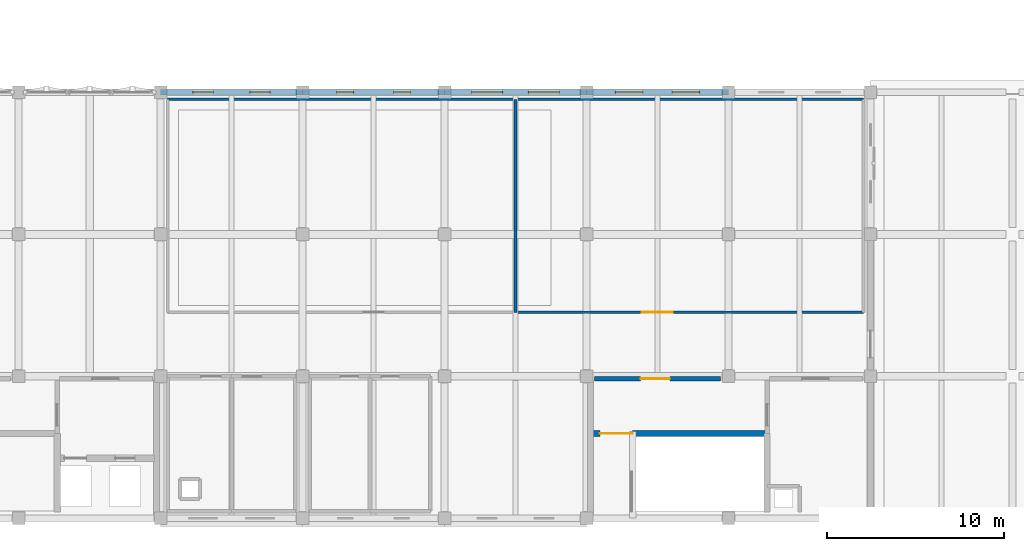
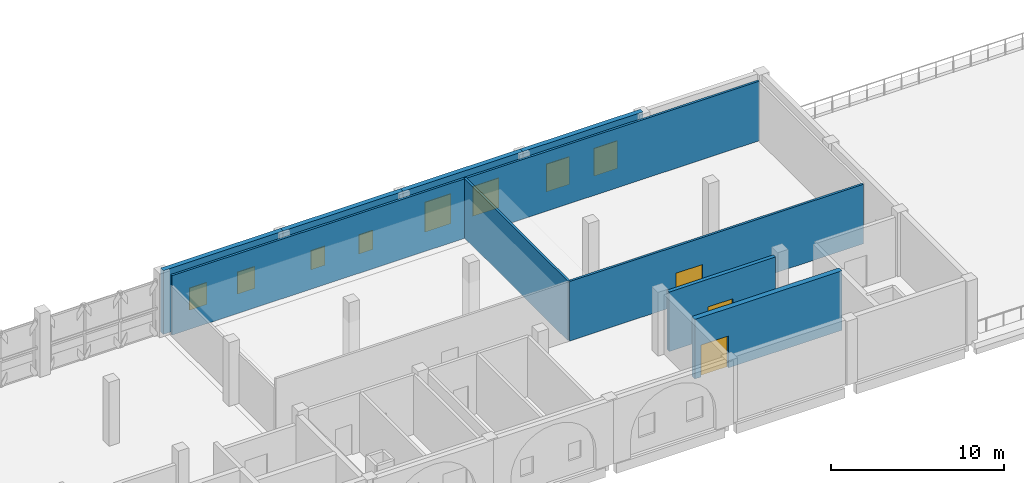
# One storey, part 29 of 45: 10 walls, 8 windows, 3 doors, 11 openings.
"""IFC4 building model written with IfcOpenShell, lengths in metres."""

from ifc_helpers import new_model, si_unit, direction, frame, frame_2d, origin, place, context, subcontext, project, spatial, rectangle, extrude, material, layer, layer_set, type_object, element, fill, save


model = new_model("IFC4")

# Units and contexts
model_context = context("Model", 3, precision=1e-05, world=origin(), true_north=direction((0.0, 1.0)))
body_context = subcontext(model_context, "Body", "Model", "MODEL_VIEW")
ifc_project = project(units=[si_unit("LENGTHUNIT", "METRE"), si_unit("AREAUNIT", "SQUARE_METRE"), si_unit("VOLUMEUNIT", "CUBIC_METRE"), si_unit("PLANEANGLEUNIT", "RADIAN"), si_unit("MASSUNIT", "GRAM", prefix="KILO")], contexts=[model_context])

# Site, building, storey
site_placement = place(None, origin())
site = spatial("IfcSite", under=ifc_project, at=site_placement, CompositionType="ELEMENT")
building_placement = place(site_placement, origin())
building = spatial("IfcBuilding", under=site, at=building_placement, Name="Qorikala Patio Media Centre", CompositionType="ELEMENT")
storey_placement = place(building_placement, frame((0.0, 0.0, 9.89990234375)))
storey = spatial("IfcBuildingStorey", under=building, at=storey_placement, Name="L02", CompositionType="ELEMENT", Elevation=9.89990234375)

# Wall, opening, door
ifc_material_1 = material(Name="Concrete C35/45", Category="concrete")
ifc_layer_1 = layer(ifc_material_1, 0.35009765625)
ifc_layer_set_1 = layer_set([ifc_layer_1], Name="Concrete C35/45")
wall_type_1 = type_object("IfcWallType", Name="WL-CORE-350", PredefinedType="SHEAR", material=ifc_layer_set_1)
wall_1_placement = place(storey_placement, frame((122.35009765625, 7.77490234375, 0.0), z_axis=(0.0, 0.0, 1.0), x_axis=(1.0, 0.0, 0.0)))
wall_1 = element("IfcWall", 1, at=wall_1_placement, inside=storey, type_object=wall_type_1, Name="L02 Interior Wall CW-L02-C7-SN", PredefinedType="SHEAR", context=body_context, shape_type="SweptSolid", body=[
    extrude(rectangle(XDim=9.824951171875, YDim=0.35009765625, at=frame_2d((4.91259765625, 0.0))), origin(), (0.0, 0.0, 1.0), 4.2001953125),
])
opening_1_placement = place(wall_1_placement, frame((0.39990234375, 0.0, 0.0)))
opening_1 = element("IfcOpeningElement", 2, at=opening_1_placement, cuts=wall_1, Name="Opening D208", PredefinedType="OPENING", context=body_context, shape_type="SweptSolid", body=[
    extrude(rectangle(XDim=1.85009765625, YDim=2.25, at=frame_2d((0.925048828125, 1.125))), frame((0.0, 0.18505859375, 0.0), z_axis=(0.0, -1.0, 0.0), x_axis=(1.0, 0.0, 0.0)), (0.0, 0.0, 1.0), 0.3701171875),
])
ifc_material_2 = material(Name="Powder-Coated Acoustic Fire Steel", Category="steel")
door_type_1 = type_object("IfcDoorType", Name="DR-FD60-185X225", OperationType="DOUBLE_DOOR_SINGLE_SWING", PredefinedType="DOOR", material=ifc_material_2)
door_1_placement = place(opening_1_placement, origin())
door_1 = element("IfcDoor", 3, at=door_1_placement, inside=storey, type_object=door_type_1, Name="L02 Stair ST-7 Fire Door", OperationType="DOUBLE_DOOR_SINGLE_SWING", OverallHeight=2.25, OverallWidth=1.85009765625, PredefinedType="DOOR", context=body_context, shape_type="SweptSolid", body=[
    extrude(rectangle(XDim=1.85009765625, YDim=2.25, at=frame_2d((0.925048828125, 1.125))), frame((0.0, 0.02490234375, 0.0), z_axis=(0.0, -1.0, 0.0), x_axis=(1.0, 0.0, 0.0)), (0.0, 0.0, 1.0), 0.050048828125),
])
fill(opening_1, door_1)

# Wall, openings, windows
ifc_material_3 = material(Name="Ivory Lime Stucco and Concrete C35/45", Category="concrete")
ifc_layer_2 = layer(ifc_material_3, 0.320068359375)
ifc_layer_set_2 = layer_set([ifc_layer_2], Name="Ivory Lime Stucco and Concrete C35/45")
wall_type_2 = type_object("IfcWallType", Name="WL-EXT-320", PredefinedType="SOLIDWALL", material=ifc_layer_set_2)
wall_2_placement = place(storey_placement, frame((98.0, 27.0, 0.0), z_axis=(0.0, 0.0, 1.0), x_axis=(1.0, 0.0, 0.0)))
wall_2 = element("IfcWall", 4, at=wall_2_placement, inside=storey, type_object=wall_type_2, Name="L02 Exterior Wall WL-L02-EXT-0009", PredefinedType="SOLIDWALL", context=body_context, shape_type="SweptSolid", body=[
    extrude(rectangle(XDim=8.0, YDim=0.320068359375, at=frame_2d((4.0, 0.0))), origin(), (0.0, 0.0, 1.0), 4.5),
])
opening_2_placement = place(wall_2_placement, frame((1.824951171875, 0.0, 1.0)))
opening_2 = element("IfcOpeningElement", 5, at=opening_2_placement, cuts=wall_2, Name="Opening WE-115", PredefinedType="OPENING", context=body_context, shape_type="SweptSolid", body=[
    extrude(rectangle(XDim=1.14990234375, YDim=1.550048828125, at=frame_2d((0.574951171875, 0.77490234375))), frame((0.0, 0.169921875, 0.0), z_axis=(0.0, -1.0, 0.0), x_axis=(1.0, 0.0, 0.0)), (0.0, 0.0, 1.0), 0.340087890625),
])
opening_3_placement = place(wall_2_placement, frame((5.02490234375, 0.0, 1.0)))
opening_3 = element("IfcOpeningElement", 6, at=opening_3_placement, cuts=wall_2, Name="Opening WE-115", PredefinedType="OPENING", context=body_context, shape_type="SweptSolid", body=[
    extrude(rectangle(XDim=1.14990234375, YDim=1.550048828125, at=frame_2d((0.574951171875, 0.77490234375))), frame((0.0, 0.169921875, 0.0), z_axis=(0.0, -1.0, 0.0), x_axis=(1.0, 0.0, 0.0)), (0.0, 0.0, 1.0), 0.340087890625),
])
ifc_material_4 = material(Name="Bronze Anodised Aluminium and Low-E Glass", Category="aluminium")
window_type_1 = type_object("IfcWindowType", Name="WN-ED-115X155", PartitioningType="SINGLE_PANEL", PredefinedType="WINDOW", material=ifc_material_4)
window_1_placement = place(opening_2_placement, origin())
window_1 = element("IfcWindow", 7, at=window_1_placement, inside=storey, type_object=window_type_1, Name="L02 Editing Wing Casement Window 0129", OverallHeight=1.550048828125, OverallWidth=1.14990234375, PartitioningType="SINGLE_PANEL", PredefinedType="WINDOW", context=body_context, shape_type="SweptSolid", body=[
    extrude(rectangle(XDim=1.14990234375, YDim=1.550048828125, at=frame_2d((0.574951171875, 0.77490234375))), frame((0.0, 0.030029296875, 0.0), z_axis=(0.0, -1.0, 0.0), x_axis=(1.0, 0.0, 0.0)), (0.0, 0.0, 1.0), 0.06005859375),
])
fill(opening_2, window_1)
window_2_placement = place(opening_3_placement, origin())
window_2 = element("IfcWindow", 8, at=window_2_placement, inside=storey, type_object=window_type_1, Name="L02 Editing Wing Casement Window 0130", OverallHeight=1.550048828125, OverallWidth=1.14990234375, PartitioningType="SINGLE_PANEL", PredefinedType="WINDOW", context=body_context, shape_type="SweptSolid", body=[
    extrude(rectangle(XDim=1.14990234375, YDim=1.550048828125, at=frame_2d((0.574951171875, 0.77490234375))), frame((0.0, 0.030029296875, 0.0), z_axis=(0.0, -1.0, 0.0), x_axis=(1.0, 0.0, 0.0)), (0.0, 0.0, 1.0), 0.06005859375),
])
fill(opening_3, window_2)

wall_3_placement = place(storey_placement, frame((106.0, 27.0, 0.0), z_axis=(0.0, 0.0, 1.0), x_axis=(1.0, 0.0, 0.0)))
wall_3 = element("IfcWall", 9, at=wall_3_placement, inside=storey, type_object=wall_type_2, Name="L02 Exterior Wall WL-L02-EXT-0010", PredefinedType="SOLIDWALL", context=body_context, shape_type="SweptSolid", body=[
    extrude(rectangle(XDim=8.0, YDim=0.320068359375, at=frame_2d((4.0, 0.0))), origin(), (0.0, 0.0, 1.0), 4.5),
])
opening_4_placement = place(wall_3_placement, frame((1.925048828125, 0.0, 1.0)))
opening_4 = element("IfcOpeningElement", 10, at=opening_4_placement, cuts=wall_3, Name="Opening WE-095", PredefinedType="OPENING", context=body_context, shape_type="SweptSolid", body=[
    extrude(rectangle(XDim=0.949951171875, YDim=1.35009765625, at=frame_2d((0.47509765625, 0.675048828125))), frame((0.0, 0.169921875, 0.0), z_axis=(0.0, -1.0, 0.0), x_axis=(1.0, 0.0, 0.0)), (0.0, 0.0, 1.0), 0.340087890625),
])
opening_5_placement = place(wall_3_placement, frame((5.125, 0.0, 1.0)))
opening_5 = element("IfcOpeningElement", 11, at=opening_5_placement, cuts=wall_3, Name="Opening WE-095", PredefinedType="OPENING", context=body_context, shape_type="SweptSolid", body=[
    extrude(rectangle(XDim=0.949951171875, YDim=1.35009765625, at=frame_2d((0.47509765625, 0.675048828125))), frame((0.0, 0.169921875, 0.0), z_axis=(0.0, -1.0, 0.0), x_axis=(1.0, 0.0, 0.0)), (0.0, 0.0, 1.0), 0.340087890625),
])
window_type_2 = type_object("IfcWindowType", Name="WN-ED-095X135", PartitioningType="SINGLE_PANEL", PredefinedType="WINDOW", material=ifc_material_4)
window_3_placement = place(opening_4_placement, origin())
window_3 = element("IfcWindow", 12, at=window_3_placement, inside=storey, type_object=window_type_2, Name="L02 Editing Wing Casement Window 0131", OverallHeight=1.35009765625, OverallWidth=0.949951171875, PartitioningType="SINGLE_PANEL", PredefinedType="WINDOW", context=body_context, shape_type="SweptSolid", body=[
    extrude(rectangle(XDim=0.949951171875, YDim=1.35009765625, at=frame_2d((0.47509765625, 0.675048828125))), frame((0.0, 0.030029296875, 0.0), z_axis=(0.0, -1.0, 0.0), x_axis=(1.0, 0.0, 0.0)), (0.0, 0.0, 1.0), 0.06005859375),
])
fill(opening_4, window_3)
window_4_placement = place(opening_5_placement, origin())
window_4 = element("IfcWindow", 13, at=window_4_placement, inside=storey, type_object=window_type_2, Name="L02 Editing Wing Casement Window 0132", OverallHeight=1.35009765625, OverallWidth=0.949951171875, PartitioningType="SINGLE_PANEL", PredefinedType="WINDOW", context=body_context, shape_type="SweptSolid", body=[
    extrude(rectangle(XDim=0.949951171875, YDim=1.35009765625, at=frame_2d((0.47509765625, 0.675048828125))), frame((0.0, 0.030029296875, 0.0), z_axis=(0.0, -1.0, 0.0), x_axis=(1.0, 0.0, 0.0)), (0.0, 0.0, 1.0), 0.06005859375),
])
fill(opening_5, window_4)

wall_4_placement = place(storey_placement, frame((114.0, 27.0, 0.0), z_axis=(0.0, 0.0, 1.0), x_axis=(1.0, 0.0, 0.0)))
wall_4 = element("IfcWall", 14, at=wall_4_placement, inside=storey, type_object=wall_type_2, Name="L02 Exterior Wall WL-L02-EXT-0011", PredefinedType="SOLIDWALL", context=body_context, shape_type="SweptSolid", body=[
    extrude(rectangle(XDim=8.0, YDim=0.320068359375, at=frame_2d((4.0, 0.0))), origin(), (0.0, 0.0, 1.0), 4.5),
])
opening_6_placement = place(wall_4_placement, frame((1.52490234375, 0.0, 1.0)))
opening_6 = element("IfcOpeningElement", 15, at=opening_6_placement, cuts=wall_4, Name="Opening WE-175", PredefinedType="OPENING", context=body_context, shape_type="SweptSolid", body=[
    extrude(rectangle(XDim=1.75, YDim=2.10009765625, at=frame_2d((0.875, 1.050048828125))), frame((0.0, 0.169921875, 0.0), z_axis=(0.0, -1.0, 0.0), x_axis=(1.0, 0.0, 0.0)), (0.0, 0.0, 1.0), 0.340087890625),
])
opening_7_placement = place(wall_4_placement, frame((4.72509765625, 0.0, 1.0)))
opening_7 = element("IfcOpeningElement", 16, at=opening_7_placement, cuts=wall_4, Name="Opening WE-175", PredefinedType="OPENING", context=body_context, shape_type="SweptSolid", body=[
    extrude(rectangle(XDim=1.75, YDim=2.10009765625, at=frame_2d((0.875, 1.050048828125))), frame((0.0, 0.169921875, 0.0), z_axis=(0.0, -1.0, 0.0), x_axis=(1.0, 0.0, 0.0)), (0.0, 0.0, 1.0), 0.340087890625),
])
window_type_3 = type_object("IfcWindowType", Name="WN-ED-175X210", PartitioningType="SINGLE_PANEL", PredefinedType="WINDOW", material=ifc_material_4)
window_5_placement = place(opening_6_placement, origin())
window_5 = element("IfcWindow", 17, at=window_5_placement, inside=storey, type_object=window_type_3, Name="L02 Editing Wing Casement Window 0133", OverallHeight=2.10009765625, OverallWidth=1.75, PartitioningType="SINGLE_PANEL", PredefinedType="WINDOW", context=body_context, shape_type="SweptSolid", body=[
    extrude(rectangle(XDim=1.75, YDim=2.10009765625, at=frame_2d((0.875, 1.050048828125))), frame((0.0, 0.030029296875, 0.0), z_axis=(0.0, -1.0, 0.0), x_axis=(1.0, 0.0, 0.0)), (0.0, 0.0, 1.0), 0.06005859375),
])
fill(opening_6, window_5)
window_6_placement = place(opening_7_placement, origin())
window_6 = element("IfcWindow", 18, at=window_6_placement, inside=storey, type_object=window_type_3, Name="L02 Editing Wing Casement Window 0134", OverallHeight=2.10009765625, OverallWidth=1.75, PartitioningType="SINGLE_PANEL", PredefinedType="WINDOW", context=body_context, shape_type="SweptSolid", body=[
    extrude(rectangle(XDim=1.75, YDim=2.10009765625, at=frame_2d((0.875, 1.050048828125))), frame((0.0, 0.030029296875, 0.0), z_axis=(0.0, -1.0, 0.0), x_axis=(1.0, 0.0, 0.0)), (0.0, 0.0, 1.0), 0.06005859375),
])
fill(opening_7, window_6)

wall_5_placement = place(storey_placement, frame((122.0, 27.0, 0.0), z_axis=(0.0, 0.0, 1.0), x_axis=(1.0, 0.0, 0.0)))
wall_5 = element("IfcWall", 19, at=wall_5_placement, inside=storey, type_object=wall_type_2, Name="L02 Exterior Wall WL-L02-EXT-0012", PredefinedType="SOLIDWALL", context=body_context, shape_type="SweptSolid", body=[
    extrude(rectangle(XDim=8.0, YDim=0.320068359375, at=frame_2d((4.0, 0.0))), origin(), (0.0, 0.0, 1.0), 4.5),
])
opening_8_placement = place(wall_5_placement, frame((1.625, 0.0, 1.0)))
opening_8 = element("IfcOpeningElement", 20, at=opening_8_placement, cuts=wall_5, Name="Opening WE-155", PredefinedType="OPENING", context=body_context, shape_type="SweptSolid", body=[
    extrude(rectangle(XDim=1.550048828125, YDim=1.949951171875, at=frame_2d((0.77490234375, 0.97509765625))), frame((0.0, 0.169921875, 0.0), z_axis=(0.0, -1.0, 0.0), x_axis=(1.0, 0.0, 0.0)), (0.0, 0.0, 1.0), 0.340087890625),
])
opening_9_placement = place(wall_5_placement, frame((4.824951171875, 0.0, 1.0)))
opening_9 = element("IfcOpeningElement", 21, at=opening_9_placement, cuts=wall_5, Name="Opening WE-155", PredefinedType="OPENING", context=body_context, shape_type="SweptSolid", body=[
    extrude(rectangle(XDim=1.550048828125, YDim=1.949951171875, at=frame_2d((0.77490234375, 0.97509765625))), frame((0.0, 0.169921875, 0.0), z_axis=(0.0, -1.0, 0.0), x_axis=(1.0, 0.0, 0.0)), (0.0, 0.0, 1.0), 0.340087890625),
])
window_type_4 = type_object("IfcWindowType", Name="WN-ED-155X195", PartitioningType="SINGLE_PANEL", PredefinedType="WINDOW", material=ifc_material_4)
window_7_placement = place(opening_8_placement, origin())
window_7 = element("IfcWindow", 22, at=window_7_placement, inside=storey, type_object=window_type_4, Name="L02 Editing Wing Casement Window 0135", OverallHeight=1.949951171875, OverallWidth=1.550048828125, PartitioningType="SINGLE_PANEL", PredefinedType="WINDOW", context=body_context, shape_type="SweptSolid", body=[
    extrude(rectangle(XDim=1.550048828125, YDim=1.949951171875, at=frame_2d((0.77490234375, 0.97509765625))), frame((0.0, 0.030029296875, 0.0), z_axis=(0.0, -1.0, 0.0), x_axis=(1.0, 0.0, 0.0)), (0.0, 0.0, 1.0), 0.06005859375),
])
fill(opening_8, window_7)
window_8_placement = place(opening_9_placement, origin())
window_8 = element("IfcWindow", 23, at=window_8_placement, inside=storey, type_object=window_type_4, Name="L02 Editing Wing Casement Window 0136", OverallHeight=1.949951171875, OverallWidth=1.550048828125, PartitioningType="SINGLE_PANEL", PredefinedType="WINDOW", context=body_context, shape_type="SweptSolid", body=[
    extrude(rectangle(XDim=1.550048828125, YDim=1.949951171875, at=frame_2d((0.77490234375, 0.97509765625))), frame((0.0, 0.030029296875, 0.0), z_axis=(0.0, -1.0, 0.0), x_axis=(1.0, 0.0, 0.0)), (0.0, 0.0, 1.0), 0.06005859375),
])
fill(opening_9, window_8)

# Wall, opening, door
ifc_layer_3 = layer(ifc_material_1, 0.25)
ifc_layer_set_3 = layer_set([ifc_layer_3], Name="Concrete C35/45")
wall_type_3 = type_object("IfcWallType", Name="WL-FFL-250", PredefinedType="PARTITIONING", material=ifc_layer_set_3)
wall_6_placement = place(storey_placement, frame((122.449951171875, 10.85009765625, 0.0), z_axis=(0.0, 0.0, 1.0), x_axis=(1.0, 0.0, 0.0)))
wall_6 = element("IfcWall", 24, at=wall_6_placement, inside=storey, type_object=wall_type_3, Name="L02 Interior Wall CW-L02-C7-CN1", PredefinedType="PARTITIONING", context=body_context, shape_type="SweptSolid", body=[
    extrude(rectangle(XDim=7.10009765625, YDim=0.25, at=frame_2d((3.550048828125, 0.0))), origin(), (0.0, 0.0, 1.0), 4.2001953125),
])
opening_10_placement = place(wall_6_placement, frame((2.60009765625, 0.0, 0.0)))
opening_10 = element("IfcOpeningElement", 25, at=opening_10_placement, cuts=wall_6, Name="Opening D210", PredefinedType="OPENING", context=body_context, shape_type="SweptSolid", body=[
    extrude(rectangle(XDim=1.64990234375, YDim=2.25, at=frame_2d((0.824951171875, 1.125))), frame((0.0, 0.135009765625, 0.0), z_axis=(0.0, -1.0, 0.0), x_axis=(1.0, 0.0, 0.0)), (0.0, 0.0, 1.0), 0.27001953125),
])
door_type_2 = type_object("IfcDoorType", Name="DR-FD60-165X225", OperationType="DOUBLE_DOOR_SINGLE_SWING", PredefinedType="DOOR", material=ifc_material_2)
door_2_placement = place(opening_10_placement, frame((1.64990234375, 0.0, 0.0), z_axis=(0.0, 0.0, 1.0), x_axis=(-1.0, 0.0, 0.0)))
door_2 = element("IfcDoor", 26, at=door_2_placement, inside=storey, type_object=door_type_2, Name="L02 Core C7 Vestibule Door", OperationType="DOUBLE_DOOR_SINGLE_SWING", OverallHeight=2.25, OverallWidth=1.64990234375, PredefinedType="DOOR", context=body_context, shape_type="SweptSolid", body=[
    extrude(rectangle(XDim=1.64990234375, YDim=2.25, at=frame_2d((0.824951171875, 1.125))), frame((0.0, 0.02490234375, 0.0), z_axis=(0.0, -1.0, 0.0), x_axis=(1.0, 0.0, 0.0)), (0.0, 0.0, 1.0), 0.050048828125),
])
fill(opening_10, door_2)

# Walls
ifc_material_5 = material(Name="Acoustic Gypsum Stud Partition")
ifc_layer_4 = layer(ifc_material_5, 0.14990234375)
ifc_layer_set_4 = layer_set([ifc_layer_4], Name="Acoustic Gypsum Stud Partition")
wall_type_4 = type_object("IfcWallType", Name="WL-PT-150", PredefinedType="PARTITIONING", material=ifc_layer_set_4)
wall_7_placement = place(storey_placement, frame((118.0, 14.60009765625, 0.0), z_axis=(0.0, 0.0, 1.0), x_axis=(0.0, 1.0, 0.0)))
element("IfcWall", 27, at=wall_7_placement, inside=storey, type_object=wall_type_4, Name="L02 Interior Wall WINT-L02-ED21-E", PredefinedType="PARTITIONING", context=body_context, shape_type="SweptSolid", body=[
    extrude(rectangle(XDim=12.0, YDim=0.14990234375, at=frame_2d((6.0, 0.0))), origin(), (0.0, 0.0, 1.0), 4.2001953125),
])
wall_8_placement = place(storey_placement, frame((98.39990234375, 26.60009765625, 0.0), z_axis=(0.0, 0.0, 1.0), x_axis=(1.0, 0.0, 0.0)))
element("IfcWall", 28, at=wall_8_placement, inside=storey, type_object=wall_type_4, Name="L02 Interior Wall WINT-L02-ED21-N", PredefinedType="PARTITIONING", context=body_context, shape_type="SweptSolid", body=[
    extrude(rectangle(XDim=19.60009765625, YDim=0.14990234375, at=frame_2d((9.800048828125, 0.0))), origin(), (0.0, 0.0, 1.0), 4.2001953125),
])

# Wall, opening, door
wall_9_placement = place(storey_placement, frame((118.0, 14.60009765625, 0.0), z_axis=(0.0, 0.0, 1.0), x_axis=(1.0, 0.0, 0.0)))
wall_9 = element("IfcWall", 29, at=wall_9_placement, inside=storey, type_object=wall_type_4, Name="L02 Interior Wall WINT-L02-GLNG-S", PredefinedType="PARTITIONING", context=body_context, shape_type="SweptSolid", body=[
    extrude(rectangle(XDim=19.60009765625, YDim=0.14990234375, at=frame_2d((9.800048828125, 0.0))), origin(), (0.0, 0.0, 1.0), 4.2001953125),
])
opening_11_placement = place(wall_9_placement, frame((7.10888671875, 0.0, 0.0)))
opening_11 = element("IfcOpeningElement", 30, at=opening_11_placement, cuts=wall_9, Name="Opening D276", PredefinedType="OPENING", context=body_context, shape_type="SweptSolid", body=[
    extrude(rectangle(XDim=1.75, YDim=2.300048828125, at=frame_2d((0.875, 1.14990234375))), frame((0.0, 0.0849609375, 0.0), z_axis=(0.0, -1.0, 0.0), x_axis=(1.0, 0.0, 0.0)), (0.0, 0.0, 1.0), 0.169921875),
])
ifc_material_6 = material(Name="Solid Andean Cedar Timber", Category="wood")
door_type_3 = type_object("IfcDoorType", Name="DR-IN-175X230", OperationType="DOUBLE_DOOR_SINGLE_SWING", PredefinedType="DOOR", material=ifc_material_6)
door_3_placement = place(opening_11_placement, origin())
door_3 = element("IfcDoor", 31, at=door_3_placement, inside=storey, type_object=door_type_3, Name="Editing Garden Lounge Door 065", OperationType="DOUBLE_DOOR_SINGLE_SWING", OverallHeight=2.300048828125, OverallWidth=1.75, PredefinedType="DOOR", context=body_context, shape_type="SweptSolid", body=[
    extrude(rectangle(XDim=1.75, YDim=2.300048828125, at=frame_2d((0.875, 1.14990234375))), frame((0.0, 0.02490234375, 0.0), z_axis=(0.0, -1.0, 0.0), x_axis=(1.0, 0.0, 0.0)), (0.0, 0.0, 1.0), 0.050048828125),
])
fill(opening_11, door_3)

# Wall
wall_10_placement = place(storey_placement, frame((118.0, 26.60009765625, 0.0), z_axis=(0.0, 0.0, 1.0), x_axis=(1.0, 0.0, 0.0)))
element("IfcWall", 32, at=wall_10_placement, inside=storey, type_object=wall_type_4, Name="L02 Interior Wall WINT-L02-GLNG-N", PredefinedType="PARTITIONING", context=body_context, shape_type="SweptSolid", body=[
    extrude(rectangle(XDim=19.60009765625, YDim=0.14990234375, at=frame_2d((9.800048828125, 0.0))), origin(), (0.0, 0.0, 1.0), 4.2001953125),
])

save(model, "model.ifc")
